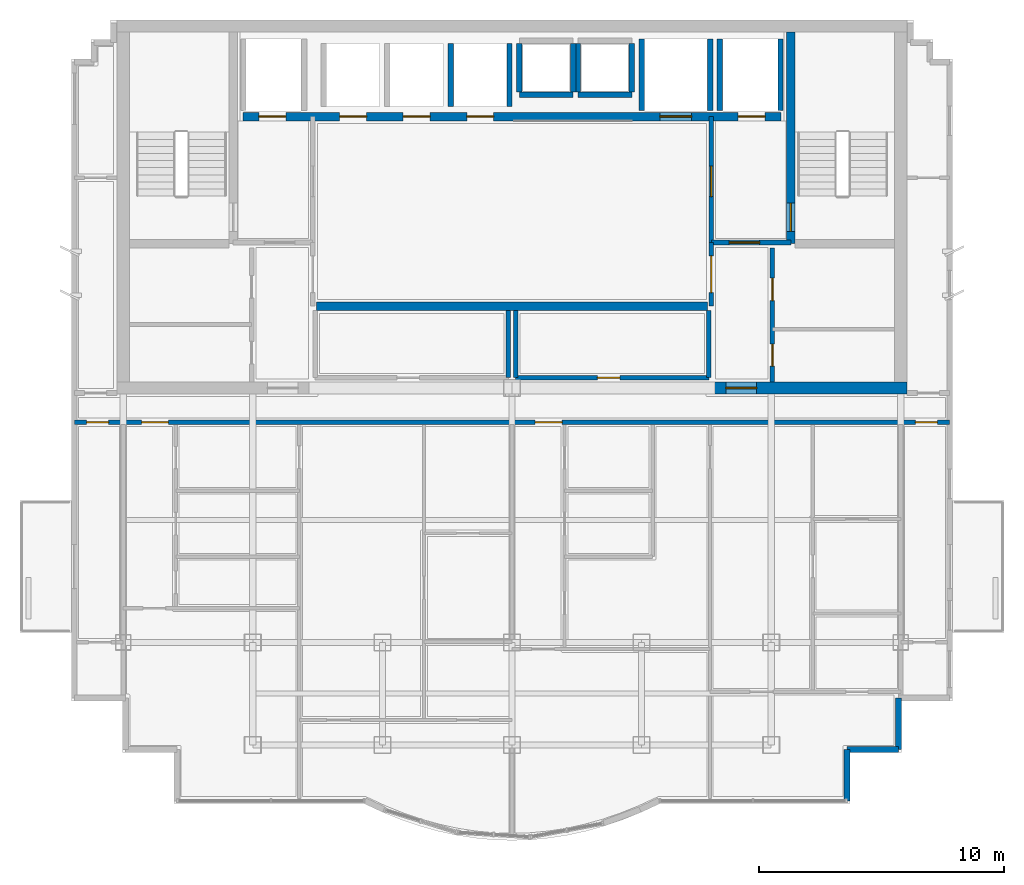
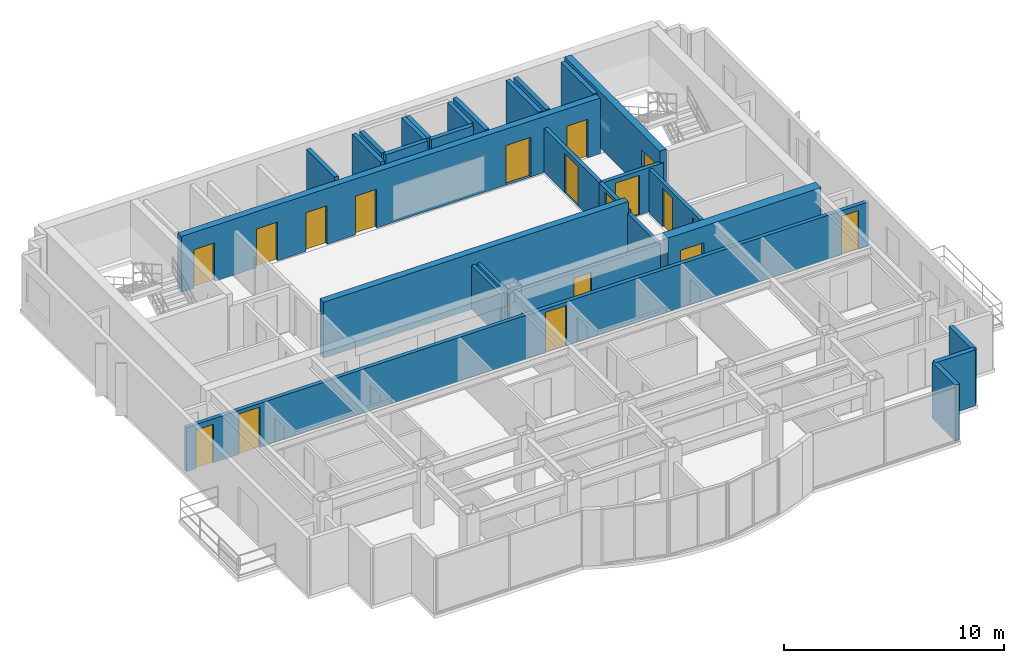
# One storey, part 5 of 9: 28 walls, 18 doors, 18 openings.
"""IFC4 building model written with IfcOpenShell, lengths in metres."""

from ifc_helpers import new_model, si_unit, direction, frame, frame_2d, origin, place, context, subcontext, project, spatial, rectangle, extrude, material, layer, layer_set, type_object, element, fill, save


model = new_model("IFC4")

# Units and contexts
model_context = context("Model", 3, precision=1e-05, world=origin(), true_north=direction((0.0, 1.0)))
body_context = subcontext(model_context, "Body", "Model", "MODEL_VIEW")
ifc_project = project(units=[si_unit("LENGTHUNIT", "METRE"), si_unit("AREAUNIT", "SQUARE_METRE"), si_unit("VOLUMEUNIT", "CUBIC_METRE"), si_unit("PLANEANGLEUNIT", "RADIAN"), si_unit("MASSUNIT", "GRAM", prefix="KILO")], contexts=[model_context])

# Site, building, storey
site_placement = place(None, origin())
site = spatial("IfcSite", under=ifc_project, at=site_placement, CompositionType="ELEMENT")
building_placement = place(site_placement, origin())
building = spatial("IfcBuilding", under=site, at=building_placement, Name="Qianlan Lanfeng Residences", CompositionType="ELEMENT")
storey_placement = place(building_placement, frame((0.0, 0.0, 252.800048828125)))
storey = spatial("IfcBuildingStorey", under=building, at=storey_placement, Name="L70", CompositionType="ELEMENT", Elevation=252.800048828125)

# Wall, opening, door
ifc_material_1 = material(Name="Concrete C49", Category="concrete")
ifc_layer_1 = layer(ifc_material_1, 0.35009765625)
ifc_layer_set_1 = layer_set([ifc_layer_1], Name="Concrete C49")
wall_type_1 = type_object("IfcWallType", Name="CW-RC-350", PredefinedType="SHEAR", material=ifc_layer_set_1)
wall_1_placement = place(storey_placement, frame((37.89990234375, 31.10009765625, 0.0), z_axis=(0.0, 0.0, 1.0), x_axis=(0.0, 1.0, 0.0)))
wall_1 = element("IfcWall", 1, at=wall_1_placement, inside=storey, type_object=wall_type_1, Name="L70 Core Shear Wall ST2W", PredefinedType="SHEAR", context=body_context, shape_type="SweptSolid", body=[
    extrude(rectangle(XDim=8.64990234375, YDim=0.35009765625, at=frame_2d((4.324951171875, 0.0))), origin(), (0.0, 0.0, 1.0), 3.10986328125),
])
opening_1_placement = place(wall_1_placement, frame((0.510009765625, 0.0, 0.0)))
opening_1 = element("IfcOpeningElement", 2, at=opening_1_placement, cuts=wall_1, Name="Opening L70-D08", PredefinedType="OPENING", context=body_context, shape_type="SweptSolid", body=[
    extrude(rectangle(XDim=1.14990234375, YDim=2.199951171875, at=frame_2d((0.574951171875, 1.10009765625))), frame((0.0, 0.18505859375, 0.0), z_axis=(0.0, -1.0, 0.0), x_axis=(1.0, 0.0, 0.0)), (0.0, 0.0, 1.0), 0.3701171875),
])
ifc_material_2 = material(Name="Painted Galvanised Steel Fire Door", Category="steel")
door_type_1 = type_object("IfcDoorType", Name="DT-ST1", OperationType="NOTDEFINED", PredefinedType="DOOR", material=ifc_material_2)
door_1_placement = place(opening_1_placement, origin())
door_1 = element("IfcDoor", 3, at=door_1_placement, inside=storey, type_object=door_type_1, Name="L70 Exit Stair ST-2 Door L70-D08 (DT-ST1)", OperationType="SINGLE_SWING_RIGHT", OverallHeight=2.199951171875, OverallWidth=1.14990234375, PredefinedType="DOOR", context=body_context, shape_type="SweptSolid", body=[
    extrude(rectangle(XDim=1.14990234375, YDim=2.199951171875, at=frame_2d((0.574951171875, 1.10009765625))), frame((0.0, 0.02490234375, 0.0), z_axis=(0.0, -1.0, 0.0), x_axis=(1.0, 0.0, 0.0)), (0.0, 0.0, 1.0), 0.050048828125),
])
fill(opening_1, door_1)

# Wall, openings, doors
wall_2_placement = place(storey_placement, frame((15.5, 36.300048828125, 0.0), z_axis=(0.0, 0.0, 1.0), x_axis=(1.0, 0.0, 0.0)))
wall_2 = element("IfcWall", 4, at=wall_2_placement, inside=storey, type_object=wall_type_1, Name="L70 Core Shear Wall LBN", PredefinedType="SHEAR", context=body_context, shape_type="SweptSolid", body=[
    extrude(rectangle(XDim=22.0, YDim=0.35009765625, at=frame_2d((11.0, 0.0))), origin(), (0.0, 0.0, 1.0), 3.10986328125),
])
opening_2_placement = place(wall_2_placement, frame((0.64990234375, 0.0, 0.0)))
opening_2 = element("IfcOpeningElement", 5, at=opening_2_placement, cuts=wall_2, Name="Opening L70-LD-FFL-1", PredefinedType="OPENING", context=body_context, shape_type="SweptSolid", body=[
    extrude(rectangle(XDim=1.10009765625, YDim=2.14990234375, at=frame_2d((0.550048828125, 1.074951171875))), frame((0.0, 0.18505859375, 0.0), z_axis=(0.0, -1.0, 0.0), x_axis=(1.0, 0.0, 0.0)), (0.0, 0.0, 1.0), 0.3701171875),
])
opening_3_placement = place(wall_2_placement, frame((20.25, 0.0, 0.0)))
opening_3 = element("IfcOpeningElement", 6, at=opening_3_placement, cuts=wall_2, Name="Opening L70-LD-FFL-2", PredefinedType="OPENING", context=body_context, shape_type="SweptSolid", body=[
    extrude(rectangle(XDim=1.10009765625, YDim=2.14990234375, at=frame_2d((0.550048828125, 1.074951171875))), frame((0.0, 0.18505859375, 0.0), z_axis=(0.0, -1.0, 0.0), x_axis=(1.0, 0.0, 0.0)), (0.0, 0.0, 1.0), 0.3701171875),
])
opening_4_placement = place(wall_2_placement, frame((17.050048828125, 0.0, 0.0)))
opening_4 = element("IfcOpeningElement", 7, at=opening_4_placement, cuts=wall_2, Name="Opening L70-LD-SVL-1", PredefinedType="OPENING", context=body_context, shape_type="SweptSolid", body=[
    extrude(rectangle(XDim=1.300048828125, YDim=2.199951171875, at=frame_2d((0.64990234375, 1.10009765625))), frame((0.0, 0.18505859375, 0.0), z_axis=(0.0, -1.0, 0.0), x_axis=(1.0, 0.0, 0.0)), (0.0, 0.0, 1.0), 0.3701171875),
])
opening_5_placement = place(wall_2_placement, frame((3.949951171875, 0.0, 0.0)))
opening_5 = element("IfcOpeningElement", 8, at=opening_5_placement, cuts=wall_2, Name="Opening L70-LD-PL-H1", PredefinedType="OPENING", context=body_context, shape_type="SweptSolid", body=[
    extrude(rectangle(XDim=1.10009765625, YDim=2.14990234375, at=frame_2d((0.550048828125, 1.074951171875))), frame((0.0, 0.18505859375, 0.0), z_axis=(0.0, -1.0, 0.0), x_axis=(1.0, 0.0, 0.0)), (0.0, 0.0, 1.0), 0.3701171875),
])
opening_6_placement = place(wall_2_placement, frame((6.550048828125, 0.0, 0.0)))
opening_6 = element("IfcOpeningElement", 9, at=opening_6_placement, cuts=wall_2, Name="Opening L70-LD-PL-H2", PredefinedType="OPENING", context=body_context, shape_type="SweptSolid", body=[
    extrude(rectangle(XDim=1.10009765625, YDim=2.14990234375, at=frame_2d((0.550048828125, 1.074951171875))), frame((0.0, 0.18505859375, 0.0), z_axis=(0.0, -1.0, 0.0), x_axis=(1.0, 0.0, 0.0)), (0.0, 0.0, 1.0), 0.3701171875),
])
opening_7_placement = place(wall_2_placement, frame((9.14990234375, 0.0, 0.0)))
opening_7 = element("IfcOpeningElement", 10, at=opening_7_placement, cuts=wall_2, Name="Opening L70-LD-PL-H3", PredefinedType="OPENING", context=body_context, shape_type="SweptSolid", body=[
    extrude(rectangle(XDim=1.10009765625, YDim=2.14990234375, at=frame_2d((0.550048828125, 1.074951171875))), frame((0.0, 0.18505859375, 0.0), z_axis=(0.0, -1.0, 0.0), x_axis=(1.0, 0.0, 0.0)), (0.0, 0.0, 1.0), 0.3701171875),
])
ifc_material_3 = material(Name="Brushed Stainless Steel Sliding Lift Door", Category="steel")
door_type_2 = type_object("IfcDoorType", Name="LD-01", OperationType="NOTDEFINED", PredefinedType="DOOR", material=ifc_material_3)
door_2_placement = place(opening_2_placement, frame((1.10009765625, 0.0, 0.0), z_axis=(0.0, 0.0, 1.0), x_axis=(-1.0, 0.0, 0.0)))
door_2 = element("IfcDoor", 11, at=door_2_placement, inside=storey, type_object=door_type_2, Name="L70 Elevator FFL-1 Sliding Landing Door", OperationType="DOUBLE_DOOR_SLIDING", OverallHeight=2.14990234375, OverallWidth=1.10009765625, PredefinedType="DOOR", context=body_context, shape_type="SweptSolid", body=[
    extrude(rectangle(XDim=1.10009765625, YDim=2.14990234375, at=frame_2d((0.550048828125, 1.074951171875))), frame((0.0, 0.02490234375, 0.0), z_axis=(0.0, -1.0, 0.0), x_axis=(1.0, 0.0, 0.0)), (0.0, 0.0, 1.0), 0.050048828125),
])
fill(opening_2, door_2)
door_3_placement = place(opening_3_placement, frame((1.10009765625, 0.0, 0.0), z_axis=(0.0, 0.0, 1.0), x_axis=(-1.0, 0.0, 0.0)))
door_3 = element("IfcDoor", 12, at=door_3_placement, inside=storey, type_object=door_type_2, Name="L70 Elevator FFL-2 Sliding Landing Door", OperationType="DOUBLE_DOOR_SLIDING", OverallHeight=2.14990234375, OverallWidth=1.10009765625, PredefinedType="DOOR", context=body_context, shape_type="SweptSolid", body=[
    extrude(rectangle(XDim=1.10009765625, YDim=2.14990234375, at=frame_2d((0.550048828125, 1.074951171875))), frame((0.0, 0.02490234375, 0.0), z_axis=(0.0, -1.0, 0.0), x_axis=(1.0, 0.0, 0.0)), (0.0, 0.0, 1.0), 0.050048828125),
])
fill(opening_3, door_3)
door_4_placement = place(opening_5_placement, frame((1.10009765625, 0.0, 0.0), z_axis=(0.0, 0.0, 1.0), x_axis=(-1.0, 0.0, 0.0)))
door_4 = element("IfcDoor", 13, at=door_4_placement, inside=storey, type_object=door_type_2, Name="L70 Elevator PL-H1 Sliding Landing Door", OperationType="DOUBLE_DOOR_SLIDING", OverallHeight=2.14990234375, OverallWidth=1.10009765625, PredefinedType="DOOR", context=body_context, shape_type="SweptSolid", body=[
    extrude(rectangle(XDim=1.10009765625, YDim=2.14990234375, at=frame_2d((0.550048828125, 1.074951171875))), frame((0.0, 0.02490234375, 0.0), z_axis=(0.0, -1.0, 0.0), x_axis=(1.0, 0.0, 0.0)), (0.0, 0.0, 1.0), 0.050048828125),
])
fill(opening_5, door_4)
door_5_placement = place(opening_6_placement, frame((1.10009765625, 0.0, 0.0), z_axis=(0.0, 0.0, 1.0), x_axis=(-1.0, 0.0, 0.0)))
door_5 = element("IfcDoor", 14, at=door_5_placement, inside=storey, type_object=door_type_2, Name="L70 Elevator PL-H2 Sliding Landing Door", OperationType="DOUBLE_DOOR_SLIDING", OverallHeight=2.14990234375, OverallWidth=1.10009765625, PredefinedType="DOOR", context=body_context, shape_type="SweptSolid", body=[
    extrude(rectangle(XDim=1.10009765625, YDim=2.14990234375, at=frame_2d((0.550048828125, 1.074951171875))), frame((0.0, 0.02490234375, 0.0), z_axis=(0.0, -1.0, 0.0), x_axis=(1.0, 0.0, 0.0)), (0.0, 0.0, 1.0), 0.050048828125),
])
fill(opening_6, door_5)
door_6_placement = place(opening_7_placement, frame((1.10009765625, 0.0, 0.0), z_axis=(0.0, 0.0, 1.0), x_axis=(-1.0, 0.0, 0.0)))
door_6 = element("IfcDoor", 15, at=door_6_placement, inside=storey, type_object=door_type_2, Name="L70 Elevator PL-H3 Sliding Landing Door", OperationType="DOUBLE_DOOR_SLIDING", OverallHeight=2.14990234375, OverallWidth=1.10009765625, PredefinedType="DOOR", context=body_context, shape_type="SweptSolid", body=[
    extrude(rectangle(XDim=1.10009765625, YDim=2.14990234375, at=frame_2d((0.550048828125, 1.074951171875))), frame((0.0, 0.02490234375, 0.0), z_axis=(0.0, -1.0, 0.0), x_axis=(1.0, 0.0, 0.0)), (0.0, 0.0, 1.0), 0.050048828125),
])
fill(opening_7, door_6)
door_type_3 = type_object("IfcDoorType", Name="LD-02", OperationType="NOTDEFINED", PredefinedType="DOOR", material=ifc_material_3)
door_7_placement = place(opening_4_placement, frame((1.300048828125, 0.0, 0.0), z_axis=(0.0, 0.0, 1.0), x_axis=(-1.0, 0.0, 0.0)))
door_7 = element("IfcDoor", 16, at=door_7_placement, inside=storey, type_object=door_type_3, Name="L70 Elevator SVL-1 Sliding Landing Door", OperationType="DOUBLE_DOOR_SLIDING", OverallHeight=2.199951171875, OverallWidth=1.300048828125, PredefinedType="DOOR", context=body_context, shape_type="SweptSolid", body=[
    extrude(rectangle(XDim=1.300048828125, YDim=2.199951171875, at=frame_2d((0.64990234375, 1.10009765625))), frame((0.0, 0.02490234375, 0.0), z_axis=(0.0, -1.0, 0.0), x_axis=(1.0, 0.0, 0.0)), (0.0, 0.0, 1.0), 0.050048828125),
])
fill(opening_4, door_7)

# Wall
wall_3_placement = place(storey_placement, frame((18.5, 28.550048828125, 0.0), z_axis=(0.0, 0.0, 1.0), x_axis=(1.0, 0.0, 0.0)))
element("IfcWall", 17, at=wall_3_placement, inside=storey, type_object=wall_type_1, Name="L70 Core Shear Wall LBS", PredefinedType="SHEAR", context=body_context, shape_type="SweptSolid", body=[
    extrude(rectangle(XDim=16.0, YDim=0.35009765625, at=frame_2d((8.0, 0.0))), origin(), (0.0, 0.0, 1.0), 3.10986328125),
])

# Wall, opening, door
ifc_material_4 = material(Name="Concrete C70", Category="concrete")
ifc_layer_2 = layer(ifc_material_4, 0.5)
ifc_layer_set_2 = layer_set([ifc_layer_2], Name="Concrete C70")
wall_type_2 = type_object("IfcWallType", Name="CW-RC-500", PredefinedType="SHEAR", material=ifc_layer_set_2)
wall_4_placement = place(storey_placement, frame((34.60009765625, 25.199951171875, 0.0), z_axis=(0.0, 0.0, 1.0), x_axis=(1.0, 0.0, 0.0)))
wall_4 = element("IfcWall", 18, at=wall_4_placement, inside=storey, type_object=wall_type_2, Name="L70 Core Shear Wall SE", PredefinedType="SHEAR", context=body_context, shape_type="SweptSolid", body=[
    extrude(rectangle(XDim=8.0498046875, YDim=0.5, at=frame_2d((4.02490234375, 0.0))), origin(), (0.0, 0.0, 1.0), 3.10986328125),
])
opening_8_placement = place(wall_4_placement, frame((0.64990234375, 0.0, 0.0)))
opening_8 = element("IfcOpeningElement", 19, at=opening_8_placement, cuts=wall_4, Name="Opening L70-D02", PredefinedType="OPENING", context=body_context, shape_type="SweptSolid", body=[
    extrude(rectangle(XDim=1.25, YDim=2.199951171875, at=frame_2d((0.625, 1.10009765625))), frame((0.0, 0.260009765625, 0.0), z_axis=(0.0, -1.0, 0.0), x_axis=(1.0, 0.0, 0.0)), (0.0, 0.0, 1.0), 0.52001953125),
])
door_type_4 = type_object("IfcDoorType", Name="DT-FFL", OperationType="NOTDEFINED", PredefinedType="DOOR", material=ifc_material_2)
door_8_placement = place(opening_8_placement, frame((1.25, 0.0, 0.0), z_axis=(0.0, 0.0, 1.0), x_axis=(-1.0, 0.0, 0.0)))
door_8 = element("IfcDoor", 20, at=door_8_placement, inside=storey, type_object=door_type_4, Name="L70 East Core Lobby Smoke Door L70-D02 (DT-FFL)", OperationType="SINGLE_SWING_LEFT", OverallHeight=2.199951171875, OverallWidth=1.25, PredefinedType="DOOR", context=body_context, shape_type="SweptSolid", body=[
    extrude(rectangle(XDim=1.25, YDim=2.199951171875, at=frame_2d((0.625, 1.10009765625))), frame((0.0, 0.02490234375, 0.0), z_axis=(0.0, -1.0, 0.0), x_axis=(1.0, 0.0, 0.0)), (0.0, 0.0, 1.0), 0.050048828125),
])
fill(opening_8, door_8)

# Walls
ifc_material_5 = material(Name="Concrete C42", Category="concrete")
ifc_layer_3 = layer(ifc_material_5, 0.239990234375)
ifc_layer_set_3 = layer_set([ifc_layer_3], Name="Concrete C42")
wall_type_3 = type_object("IfcWallType", Name="EW-240", PredefinedType="SOLIDWALL", material=ifc_layer_set_3)
wall_5_placement = place(storey_placement, frame((40.199951171875, 8.320068359375, 0.0), z_axis=(0.0, 0.0, 1.0), x_axis=(0.0, 1.0, 0.0)))
element("IfcWall", 21, at=wall_5_placement, inside=storey, type_object=wall_type_3, Name="L70 Exterior Facade Spandrel Wall 8", PredefinedType="SOLIDWALL", context=body_context, shape_type="SweptSolid", body=[
    extrude(rectangle(XDim=2.099853515625, YDim=0.239990234375, at=frame_2d((1.0498046875, 0.0))), origin(), (0.0, 0.0, 1.0), 3.10986328125),
])
for number, where, z_axis, x_axis, name in (
    (22, (40.199951171875, 10.419921875, 0.0), (0.0, 0.0, 1.0), (1.0, 0.0, 0.0), "L70 Exterior Facade Spandrel Wall 9"),
    (23, (42.300048828125, 10.419921875, 0.0), (0.0, 0.0, 1.0), (0.0, 1.0, 0.0), "L70 Exterior Facade Spandrel Wall 10"),
):
    element("IfcWall", number, at=place(storey_placement, frame(where, z_axis=z_axis, x_axis=x_axis)), inside=storey, type_object=wall_type_3, Name=name, PredefinedType="SOLIDWALL", context=body_context, shape_type="SweptSolid", body=[
        extrude(rectangle(XDim=2.10009765625, YDim=0.239990234375, at=frame_2d((1.050048828125, 0.0))), origin(), (0.0, 0.0, 1.0), 3.10986328125),
    ])

# Wall, openings, doors
ifc_material_6 = material(Name="Double-Layer Acoustic Gypsum Stud Wall 180 mm")
ifc_layer_4 = layer(ifc_material_6, 0.179931640625)
ifc_layer_set_4 = layer_set([ifc_layer_4], Name="Double-Layer Acoustic Gypsum Stud Wall 180 mm")
wall_type_4 = type_object("IfcWallType", Name="PW-180", PredefinedType="PARTITIONING", material=ifc_layer_set_4)
wall_6_placement = place(storey_placement, frame((37.14990234375, 25.449951171875, 0.0), z_axis=(0.0, 0.0, 1.0), x_axis=(0.0, 1.0, 0.0)))
wall_6 = element("IfcWall", 24, at=wall_6_placement, inside=storey, type_object=wall_type_4, Name="L70 Core East Service Room Wall", PredefinedType="PARTITIONING", context=body_context, shape_type="SweptSolid", body=[
    extrude(rectangle(XDim=5.47509765625, YDim=0.179931640625, at=frame_2d((2.737548828125, 0.0))), origin(), (0.0, 0.0, 1.0), 2.449951171875),
])
opening_9_placement = place(wall_6_placement, frame((0.64990234375, 0.0, 0.0)))
opening_9 = element("IfcOpeningElement", 25, at=opening_9_placement, cuts=wall_6, Name="Opening L70-D11", PredefinedType="OPENING", context=body_context, shape_type="SweptSolid", body=[
    extrude(rectangle(XDim=0.89990234375, YDim=2.14990234375, at=frame_2d((0.449951171875, 1.074951171875))), frame((0.0, 0.10009765625, 0.0), z_axis=(0.0, -1.0, 0.0), x_axis=(1.0, 0.0, 0.0)), (0.0, 0.0, 1.0), 0.199951171875),
])
opening_10_placement = place(wall_6_placement, frame((3.326904296875, 0.0, 0.0)))
opening_10 = element("IfcOpeningElement", 26, at=opening_10_placement, cuts=wall_6, Name="Opening L70-D12", PredefinedType="OPENING", context=body_context, shape_type="SweptSolid", body=[
    extrude(rectangle(XDim=0.919921875, YDim=2.14990234375, at=frame_2d((0.4599609375, 1.074951171875))), frame((0.0, 0.10009765625, 0.0), z_axis=(0.0, -1.0, 0.0), x_axis=(1.0, 0.0, 0.0)), (0.0, 0.0, 1.0), 0.199951171875),
])
ifc_material_7 = material(Name="Glazed Timber Kitchen/Study Door", Category="wood")
door_type_5 = type_object("IfcDoorType", Name="DT-INT", OperationType="NOTDEFINED", PredefinedType="DOOR", material=ifc_material_7)
door_9_placement = place(opening_10_placement, origin())
door_9 = element("IfcDoor", 27, at=door_9_placement, inside=storey, type_object=door_type_5, Name="L70 Refuse Room Door L70-D12 (DT-INT)", OperationType="SINGLE_SWING_RIGHT", OverallHeight=2.14990234375, OverallWidth=0.919921875, PredefinedType="DOOR", context=body_context, shape_type="SweptSolid", body=[
    extrude(rectangle(XDim=0.919921875, YDim=2.14990234375, at=frame_2d((0.4599609375, 1.074951171875))), frame((0.0, 0.02490234375, 0.0), z_axis=(0.0, -1.0, 0.0), x_axis=(1.0, 0.0, 0.0)), (0.0, 0.0, 1.0), 0.050048828125),
])
fill(opening_10, door_9)
ifc_material_8 = material(Name="Moisture-Resistant Timber Leaf", Category="wood")
door_type_6 = type_object("IfcDoorType", Name="DT-WC", OperationType="NOTDEFINED", PredefinedType="DOOR", material=ifc_material_8)
door_10_placement = place(opening_9_placement, origin())
door_10 = element("IfcDoor", 28, at=door_10_placement, inside=storey, type_object=door_type_6, Name="L70 Core WC Door L70-D11 (DT-WC)", OperationType="SINGLE_SWING_LEFT", OverallHeight=2.14990234375, OverallWidth=0.89990234375, PredefinedType="DOOR", context=body_context, shape_type="SweptSolid", body=[
    extrude(rectangle(XDim=0.89990234375, YDim=2.14990234375, at=frame_2d((0.449951171875, 1.074951171875))), frame((0.0, 0.02490234375, 0.0), z_axis=(0.0, -1.0, 0.0), x_axis=(1.0, 0.0, 0.0)), (0.0, 0.0, 1.0), 0.050048828125),
])
fill(opening_9, door_10)

# Walls
for number, where, z_axis, x_axis, name in (
    (29, (26.35009765625, 25.6201171875, 0.0), (0.0, 0.0, 1.0), (0.0, 1.0, 0.0), "L70 Reclaimed Low-Bank Room East Wall"),
    (30, (26.64990234375, 25.6201171875, 0.0), (0.0, 0.0, 1.0), (0.0, 1.0, 0.0), "L70 Reclaimed Mid-Bank Room West Wall"),
    (31, (34.550048828125, 25.6201171875, 0.0), (0.0, 0.0, 1.0), (0.0, 1.0, 0.0), "L70 Reclaimed Mid-Bank Room East Wall"),
):
    element("IfcWall", number, at=place(storey_placement, frame(where, z_axis=z_axis, x_axis=x_axis)), inside=storey, type_object=wall_type_4, Name=name, PredefinedType="PARTITIONING", context=body_context, shape_type="SweptSolid", body=[
        extrude(rectangle(XDim=2.7548828125, YDim=0.179931640625, at=frame_2d((1.37744140625, 0.0))), origin(), (0.0, 0.0, 1.0), 2.449951171875),
    ])

# Wall, opening, door
wall_7_placement = place(storey_placement, frame((26.64990234375, 25.6201171875, 0.0), z_axis=(0.0, 0.0, 1.0), x_axis=(1.0, 0.0, 0.0)))
wall_7 = element("IfcWall", 32, at=wall_7_placement, inside=storey, type_object=wall_type_4, Name="L70 Reclaimed Mid-Bank Room South Wall", PredefinedType="PARTITIONING", context=body_context, shape_type="SweptSolid", body=[
    extrude(rectangle(XDim=7.900146484375, YDim=0.179931640625, at=frame_2d((3.9501953125, 0.0))), origin(), (0.0, 0.0, 1.0), 2.449951171875),
])
opening_11_placement = place(wall_7_placement, frame((3.340087890625, 0.0, 0.0)))
opening_11 = element("IfcOpeningElement", 33, at=opening_11_placement, cuts=wall_7, Name="Opening L70-D16", PredefinedType="OPENING", context=body_context, shape_type="SweptSolid", body=[
    extrude(rectangle(XDim=0.919921875, YDim=2.14990234375, at=frame_2d((0.4599609375, 1.074951171875))), frame((0.0, 0.10009765625, 0.0), z_axis=(0.0, -1.0, 0.0), x_axis=(1.0, 0.0, 0.0)), (0.0, 0.0, 1.0), 0.199951171875),
])
door_11_placement = place(opening_11_placement, origin())
door_11 = element("IfcDoor", 34, at=door_11_placement, inside=storey, type_object=door_type_5, Name="L70 Reclaimed Mid-Bank Salon Door L70-D16 (DT-INT)", OperationType="SINGLE_SWING_RIGHT", OverallHeight=2.14990234375, OverallWidth=0.919921875, PredefinedType="DOOR", context=body_context, shape_type="SweptSolid", body=[
    extrude(rectangle(XDim=0.919921875, YDim=2.14990234375, at=frame_2d((0.4599609375, 1.074951171875))), frame((0.0, 0.02490234375, 0.0), z_axis=(0.0, -1.0, 0.0), x_axis=(1.0, 0.0, 0.0)), (0.0, 0.0, 1.0), 0.050048828125),
])
fill(opening_11, door_11)

ifc_material_9 = material(Name="Autoclaved Aerated Concrete Blockwork 200 mm", Category="masonry")
ifc_layer_5 = layer(ifc_material_9, 0.199951171875)
ifc_layer_set_5 = layer_set([ifc_layer_5], Name="Autoclaved Aerated Concrete Blockwork 200 mm")
wall_type_5 = type_object("IfcWallType", Name="PW-200", PredefinedType="PARTITIONING", material=ifc_layer_set_5)
wall_8_placement = place(storey_placement, frame((34.64990234375, 31.14990234375, 0.0), z_axis=(0.0, 0.0, 1.0), x_axis=(1.0, 0.0, 0.0)))
wall_8 = element("IfcWall", 35, at=wall_8_placement, inside=storey, type_object=wall_type_5, Name="L70 Firefighting Lobby 2 South Wall", PredefinedType="PARTITIONING", context=body_context, shape_type="SweptSolid", body=[
    extrude(rectangle(XDim=3.25, YDim=0.199951171875, at=frame_2d((1.625, 0.0))), origin(), (0.0, 0.0, 1.0), 2.449951171875),
])
opening_12_placement = place(wall_8_placement, frame((0.72509765625, 0.0, 0.0)))
opening_12 = element("IfcOpeningElement", 36, at=opening_12_placement, cuts=wall_8, Name="Opening L70-D05", PredefinedType="OPENING", context=body_context, shape_type="SweptSolid", body=[
    extrude(rectangle(XDim=1.25, YDim=2.199951171875, at=frame_2d((0.625, 1.10009765625))), frame((0.0, 0.10986328125, 0.0), z_axis=(0.0, -1.0, 0.0), x_axis=(1.0, 0.0, 0.0)), (0.0, 0.0, 1.0), 0.219970703125),
])
door_12_placement = place(opening_12_placement, origin())
door_12 = element("IfcDoor", 37, at=door_12_placement, inside=storey, type_object=door_type_4, Name="L70 Firefighting Lobby 2 Entry Door L70-D05 (DT-FFL)", OperationType="SINGLE_SWING_RIGHT", OverallHeight=2.199951171875, OverallWidth=1.25, PredefinedType="DOOR", context=body_context, shape_type="SweptSolid", body=[
    extrude(rectangle(XDim=1.25, YDim=2.199951171875, at=frame_2d((0.625, 1.10009765625))), frame((0.0, 0.02490234375, 0.0), z_axis=(0.0, -1.0, 0.0), x_axis=(1.0, 0.0, 0.0)), (0.0, 0.0, 1.0), 0.050048828125),
])
fill(opening_12, door_12)

wall_9_placement = place(storey_placement, frame((34.64990234375, 31.14990234375, 0.0), z_axis=(0.0, 0.0, 1.0), x_axis=(0.0, 1.0, 0.0)))
wall_9 = element("IfcWall", 38, at=wall_9_placement, inside=storey, type_object=wall_type_5, Name="L70 Firefighting Lobby 2 West Wall", PredefinedType="PARTITIONING", context=body_context, shape_type="SweptSolid", body=[
    extrude(rectangle(XDim=5.150146484375, YDim=0.199951171875, at=frame_2d((2.5751953125, 0.0))), origin(), (0.0, 0.0, 1.0), 2.449951171875),
])
opening_13_placement = place(wall_9_placement, frame((1.875, 0.0, 0.0)))
opening_13 = element("IfcOpeningElement", 39, at=opening_13_placement, cuts=wall_9, Name="Opening L70-D06", PredefinedType="OPENING", context=body_context, shape_type="SweptSolid", body=[
    extrude(rectangle(XDim=1.25, YDim=2.199951171875, at=frame_2d((0.625, 1.10009765625))), frame((0.0, 0.10986328125, 0.0), z_axis=(0.0, -1.0, 0.0), x_axis=(1.0, 0.0, 0.0)), (0.0, 0.0, 1.0), 0.219970703125),
])
door_13_placement = place(opening_13_placement, origin())
door_13 = element("IfcDoor", 40, at=door_13_placement, inside=storey, type_object=door_type_4, Name="L70 Firefighting Lobby 2 Lift Lobby Door L70-D06 (DT-FFL)", OperationType="SINGLE_SWING_RIGHT", OverallHeight=2.199951171875, OverallWidth=1.25, PredefinedType="DOOR", context=body_context, shape_type="SweptSolid", body=[
    extrude(rectangle(XDim=1.25, YDim=2.199951171875, at=frame_2d((0.625, 1.10009765625))), frame((0.0, 0.02490234375, 0.0), z_axis=(0.0, -1.0, 0.0), x_axis=(1.0, 0.0, 0.0)), (0.0, 0.0, 1.0), 0.050048828125),
])
fill(opening_13, door_13)

wall_10_placement = place(storey_placement, frame((34.64990234375, 28.550048828125, 0.0), z_axis=(0.0, 0.0, 1.0), x_axis=(0.0, 1.0, 0.0)))
wall_10 = element("IfcWall", 41, at=wall_10_placement, inside=storey, type_object=wall_type_5, Name="L70 Lift Lobby East Connector Wall", PredefinedType="PARTITIONING", context=body_context, shape_type="SweptSolid", body=[
    extrude(rectangle(XDim=2.599853515625, YDim=0.199951171875, at=frame_2d((1.2998046875, 0.0))), origin(), (0.0, 0.0, 1.0), 2.449951171875),
])
opening_14_placement = place(wall_10_placement, frame((0.550048828125, 0.0, 0.0)))
opening_14 = element("IfcOpeningElement", 42, at=opening_14_placement, cuts=wall_10, Name="Opening L70-D14", PredefinedType="OPENING", context=body_context, shape_type="SweptSolid", body=[
    extrude(rectangle(XDim=1.5, YDim=2.25, at=frame_2d((0.75, 1.125))), frame((0.0, 0.10986328125, 0.0), z_axis=(0.0, -1.0, 0.0), x_axis=(1.0, 0.0, 0.0)), (0.0, 0.0, 1.0), 0.219970703125),
])
ifc_material_10 = material(Name="Timber Veneer Acoustic Fire Door", Category="wood")
door_type_7 = type_object("IfcDoorType", Name="DT-COR1", OperationType="NOTDEFINED", PredefinedType="DOOR", material=ifc_material_10)
door_14_placement = place(opening_14_placement, frame((1.5, 0.0, 0.0), z_axis=(0.0, 0.0, 1.0), x_axis=(-1.0, 0.0, 0.0)))
door_14 = element("IfcDoor", 43, at=door_14_placement, inside=storey, type_object=door_type_7, Name="L70 Lift Lobby East Portal Door L70-D14 (DT-COR1)", OperationType="DOUBLE_DOOR_SINGLE_SWING", OverallHeight=2.25, OverallWidth=1.5, PredefinedType="DOOR", context=body_context, shape_type="SweptSolid", body=[
    extrude(rectangle(XDim=1.5, YDim=2.25, at=frame_2d((0.75, 1.125))), frame((0.0, 0.02490234375, 0.0), z_axis=(0.0, -1.0, 0.0), x_axis=(1.0, 0.0, 0.0)), (0.0, 0.0, 1.0), 0.050048828125),
])
fill(opening_14, door_14)

# Wall, openings, doors
wall_11_placement = place(storey_placement, frame((8.60009765625, 23.800048828125, 0.0), z_axis=(0.0, 0.0, 1.0), x_axis=(1.0, 0.0, 0.0)))
wall_11 = element("IfcWall", 44, at=wall_11_placement, inside=storey, type_object=wall_type_5, Name="L70 Residential Corridor South Fire Wall", PredefinedType="PARTITIONING", context=body_context, shape_type="SweptSolid", body=[
    extrude(rectangle(XDim=35.7998046875, YDim=0.199951171875, at=frame_2d((17.89990234375, 0.0))), origin(), (0.0, 0.0, 1.0), 2.449951171875),
])
opening_15_placement = place(wall_11_placement, frame((2.75, 0.0, 0.0)))
opening_15 = element("IfcOpeningElement", 45, at=opening_15_placement, cuts=wall_11, Name="Opening L70-D17", PredefinedType="OPENING", context=body_context, shape_type="SweptSolid", body=[
    extrude(rectangle(XDim=1.10009765625, YDim=2.25, at=frame_2d((0.550048828125, 1.125))), frame((0.0, 0.10986328125, 0.0), z_axis=(0.0, -1.0, 0.0), x_axis=(1.0, 0.0, 0.0)), (0.0, 0.0, 1.0), 0.219970703125),
])
opening_16_placement = place(wall_11_placement, frame((18.85009765625, 0.0, 0.0)))
opening_16 = element("IfcOpeningElement", 46, at=opening_16_placement, cuts=wall_11, Name="Opening L70-D27", PredefinedType="OPENING", context=body_context, shape_type="SweptSolid", body=[
    extrude(rectangle(XDim=1.10009765625, YDim=2.25, at=frame_2d((0.550048828125, 1.125))), frame((0.0, 0.10986328125, 0.0), z_axis=(0.0, -1.0, 0.0), x_axis=(1.0, 0.0, 0.0)), (0.0, 0.0, 1.0), 0.219970703125),
])
opening_17_placement = place(wall_11_placement, frame((0.5048828125, 0.0, 0.0)))
opening_17 = element("IfcOpeningElement", 47, at=opening_17_placement, cuts=wall_11, Name="Opening L70-D38", PredefinedType="OPENING", context=body_context, shape_type="SweptSolid", body=[
    extrude(rectangle(XDim=0.89990234375, YDim=2.14990234375, at=frame_2d((0.449951171875, 1.074951171875))), frame((0.0, 0.10986328125, 0.0), z_axis=(0.0, -1.0, 0.0), x_axis=(1.0, 0.0, 0.0)), (0.0, 0.0, 1.0), 0.219970703125),
])
opening_18_placement = place(wall_11_placement, frame((34.39501953125, 0.0, 0.0)))
opening_18 = element("IfcOpeningElement", 48, at=opening_18_placement, cuts=wall_11, Name="Opening L70-D40", PredefinedType="OPENING", context=body_context, shape_type="SweptSolid", body=[
    extrude(rectangle(XDim=0.89990234375, YDim=2.14990234375, at=frame_2d((0.449951171875, 1.074951171875))), frame((0.0, 0.10986328125, 0.0), z_axis=(0.0, -1.0, 0.0), x_axis=(1.0, 0.0, 0.0)), (0.0, 0.0, 1.0), 0.219970703125),
])
ifc_material_11 = material(Name="Solid-Core Oak Veneer Fire Door")
door_type_8 = type_object("IfcDoorType", Name="DT-UNIT", OperationType="NOTDEFINED", PredefinedType="DOOR", material=ifc_material_11)
door_15_placement = place(opening_15_placement, frame((1.10009765625, 0.0, 0.0), z_axis=(0.0, 0.0, 1.0), x_axis=(-1.0, 0.0, 0.0)))
door_15 = element("IfcDoor", 49, at=door_15_placement, inside=storey, type_object=door_type_8, Name="L70 Apartment U01 Entrance Door L70-D17 (DT-UNIT)", OperationType="SINGLE_SWING_RIGHT", OverallHeight=2.25, OverallWidth=1.10009765625, PredefinedType="DOOR", context=body_context, shape_type="SweptSolid", body=[
    extrude(rectangle(XDim=1.10009765625, YDim=2.25, at=frame_2d((0.550048828125, 1.125))), frame((0.0, 0.02490234375, 0.0), z_axis=(0.0, -1.0, 0.0), x_axis=(1.0, 0.0, 0.0)), (0.0, 0.0, 1.0), 0.050048828125),
])
fill(opening_15, door_15)
door_16_placement = place(opening_16_placement, origin())
door_16 = element("IfcDoor", 50, at=door_16_placement, inside=storey, type_object=door_type_8, Name="L70 Apartment U02 Entrance Door L70-D27 (DT-UNIT)", OperationType="SINGLE_SWING_LEFT", OverallHeight=2.25, OverallWidth=1.10009765625, PredefinedType="DOOR", context=body_context, shape_type="SweptSolid", body=[
    extrude(rectangle(XDim=1.10009765625, YDim=2.25, at=frame_2d((0.550048828125, 1.125))), frame((0.0, 0.02490234375, 0.0), z_axis=(0.0, -1.0, 0.0), x_axis=(1.0, 0.0, 0.0)), (0.0, 0.0, 1.0), 0.050048828125),
])
fill(opening_16, door_16)
door_17_placement = place(opening_17_placement, origin())
door_17 = element("IfcDoor", 51, at=door_17_placement, inside=storey, type_object=door_type_6, Name="L70 SWP Corridor Door L70-D38 (DT-WC)", OperationType="SINGLE_SWING_RIGHT", OverallHeight=2.14990234375, OverallWidth=0.89990234375, PredefinedType="DOOR", context=body_context, shape_type="SweptSolid", body=[
    extrude(rectangle(XDim=0.89990234375, YDim=2.14990234375, at=frame_2d((0.449951171875, 1.074951171875))), frame((0.0, 0.02490234375, 0.0), z_axis=(0.0, -1.0, 0.0), x_axis=(1.0, 0.0, 0.0)), (0.0, 0.0, 1.0), 0.050048828125),
])
fill(opening_17, door_17)
door_18_placement = place(opening_18_placement, origin())
door_18 = element("IfcDoor", 52, at=door_18_placement, inside=storey, type_object=door_type_6, Name="L70 SEP Corridor Door L70-D40 (DT-WC)", OperationType="SINGLE_SWING_LEFT", OverallHeight=2.14990234375, OverallWidth=0.89990234375, PredefinedType="DOOR", context=body_context, shape_type="SweptSolid", body=[
    extrude(rectangle(XDim=0.89990234375, YDim=2.14990234375, at=frame_2d((0.449951171875, 1.074951171875))), frame((0.0, 0.02490234375, 0.0), z_axis=(0.0, -1.0, 0.0), x_axis=(1.0, 0.0, 0.0)), (0.0, 0.0, 1.0), 0.050048828125),
])
fill(opening_18, door_18)

# Walls
ifc_layer_6 = layer(ifc_material_1, 0.219970703125)
ifc_layer_set_6 = layer_set([ifc_layer_6], Name="Concrete C49")
wall_type_6 = type_object("IfcWallType", Name="SHW-220", PredefinedType="SOLIDWALL", material=ifc_layer_set_6)
for number, where, z_axis, x_axis, name in (
    (53, (35.0, 36.550048828125, 0.0), (0.0, 0.0, 1.0), (0.0, 1.0, 0.0), "L70 Lift FFL-2 Shaft Wall W"),
    (54, (37.47998046875, 36.550048828125, 0.0), (0.0, 0.0, 1.0), (0.0, 1.0, 0.0), "L70 Lift FFL-2 Shaft Wall E"),
    (55, (31.800048828125, 36.550048828125, 0.0), (0.0, 0.0, 1.0), (0.0, 1.0, 0.0), "L70 Lift SVL-1 Shaft Wall W"),
    (56, (34.60009765625, 36.550048828125, 0.0), (0.0, 0.0, 1.0), (0.0, 1.0, 0.0), "L70 Lift SVL-1 Shaft Wall E"),
):
    element("IfcWall", number, at=place(storey_placement, frame(where, z_axis=z_axis, x_axis=x_axis)), inside=storey, type_object=wall_type_6, Name=name, PredefinedType="SOLIDWALL", context=body_context, shape_type="SweptSolid", body=[
        extrude(rectangle(XDim=2.929931640625, YDim=0.219970703125, at=frame_2d((1.46484375, 0.0))), origin(), (0.0, 0.0, 1.0), 3.10986328125),
    ])
for number, where, z_axis, x_axis, name in (
    (57, (24.0, 36.719970703125, 0.0), (0.0, 0.0, 1.0), (0.0, 1.0, 0.0), "L70 Lift PL-H3 Shaft Wall W"),
    (58, (26.39990234375, 36.719970703125, 0.0), (0.0, 0.0, 1.0), (0.0, 1.0, 0.0), "L70 Lift PL-H3 Shaft Wall E"),
):
    element("IfcWall", number, at=place(storey_placement, frame(where, z_axis=z_axis, x_axis=x_axis)), inside=storey, type_object=wall_type_6, Name=name, PredefinedType="SOLIDWALL", context=body_context, shape_type="SweptSolid", body=[
        extrude(rectangle(XDim=2.56005859375, YDim=0.219970703125, at=frame_2d((1.280029296875, 0.0))), origin(), (0.0, 0.0, 1.0), 3.10986328125),
    ])
for number, where, z_axis, x_axis, name in (
    (59, (26.800048828125, 37.31005859375, 0.0), (0.0, 0.0, 1.0), (0.0, 1.0, 0.0), "L70 MEP Riser MEP-R1 Shaft Wall W"),
    (60, (29.0, 37.31005859375, 0.0), (0.0, 0.0, 1.0), (0.0, 1.0, 0.0), "L70 MEP Riser MEP-R1 Shaft Wall E"),
):
    element("IfcWall", number, at=place(storey_placement, frame(where, z_axis=z_axis, x_axis=x_axis)), inside=storey, type_object=wall_type_6, Name=name, PredefinedType="SOLIDWALL", context=body_context, shape_type="SweptSolid", body=[
        extrude(rectangle(XDim=1.97998046875, YDim=0.219970703125, at=frame_2d((0.989990234375, 0.0))), origin(), (0.0, 0.0, 1.0), 3.10986328125),
    ])
wall_12_placement = place(storey_placement, frame((26.800048828125, 37.199951171875, 0.0), z_axis=(0.0, 0.0, 1.0), x_axis=(1.0, 0.0, 0.0)))
element("IfcWall", 61, at=wall_12_placement, inside=storey, type_object=wall_type_6, Name="L70 MEP Riser MEP-R1 Shaft Wall S", PredefinedType="SOLIDWALL", context=body_context, shape_type="SweptSolid", body=[
    extrude(rectangle(XDim=2.199951171875, YDim=0.219970703125, at=frame_2d((1.10009765625, 0.0))), origin(), (0.0, 0.0, 1.0), 3.10986328125),
])
for number, where, z_axis, x_axis, name in (
    (62, (29.199951171875, 37.31005859375, 0.0), (0.0, 0.0, 1.0), (0.0, 1.0, 0.0), "L70 MEP Riser MEP-R2 Shaft Wall W"),
    (63, (31.39990234375, 37.31005859375, 0.0), (0.0, 0.0, 1.0), (0.0, 1.0, 0.0), "L70 MEP Riser MEP-R2 Shaft Wall E"),
):
    element("IfcWall", number, at=place(storey_placement, frame(where, z_axis=z_axis, x_axis=x_axis)), inside=storey, type_object=wall_type_6, Name=name, PredefinedType="SOLIDWALL", context=body_context, shape_type="SweptSolid", body=[
        extrude(rectangle(XDim=1.97998046875, YDim=0.219970703125, at=frame_2d((0.989990234375, 0.0))), origin(), (0.0, 0.0, 1.0), 3.10986328125),
    ])
wall_13_placement = place(storey_placement, frame((29.199951171875, 37.199951171875, 0.0), z_axis=(0.0, 0.0, 1.0), x_axis=(1.0, 0.0, 0.0)))
element("IfcWall", 64, at=wall_13_placement, inside=storey, type_object=wall_type_6, Name="L70 MEP Riser MEP-R2 Shaft Wall S", PredefinedType="SOLIDWALL", context=body_context, shape_type="SweptSolid", body=[
    extrude(rectangle(XDim=2.199951171875, YDim=0.219970703125, at=frame_2d((1.10009765625, 0.0))), origin(), (0.0, 0.0, 1.0), 3.10986328125),
])

save(model, "model.ifc")
